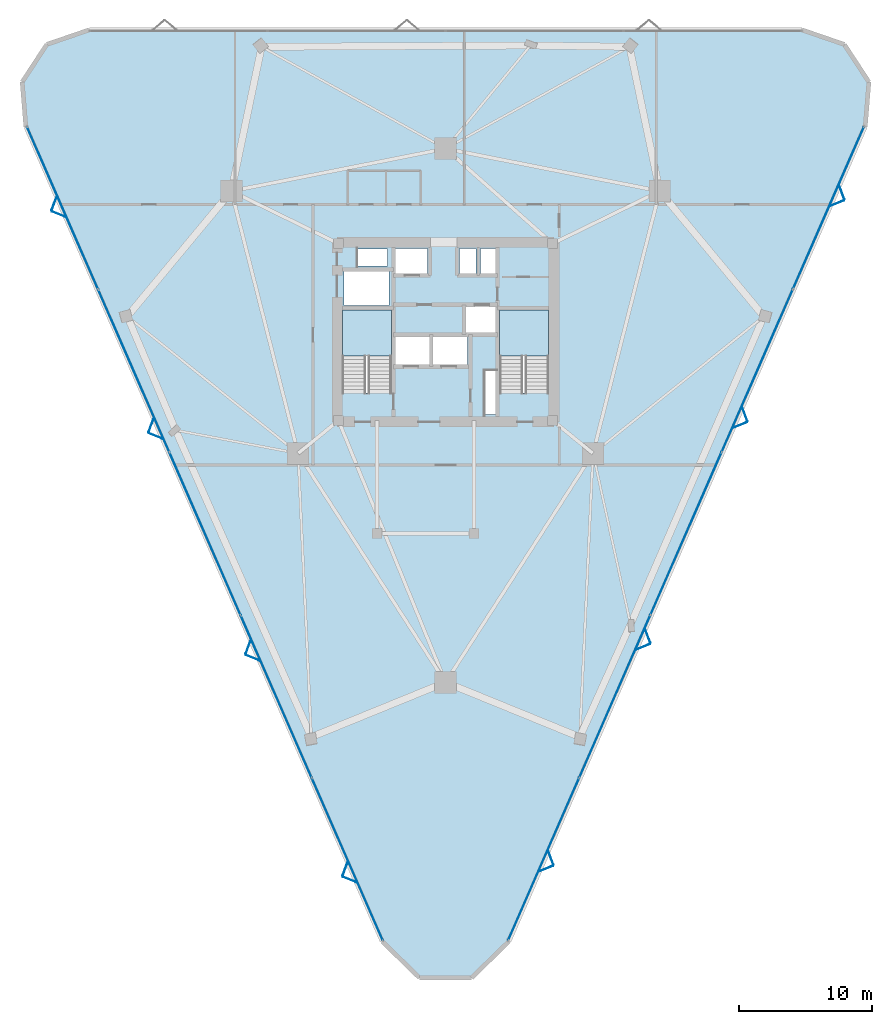
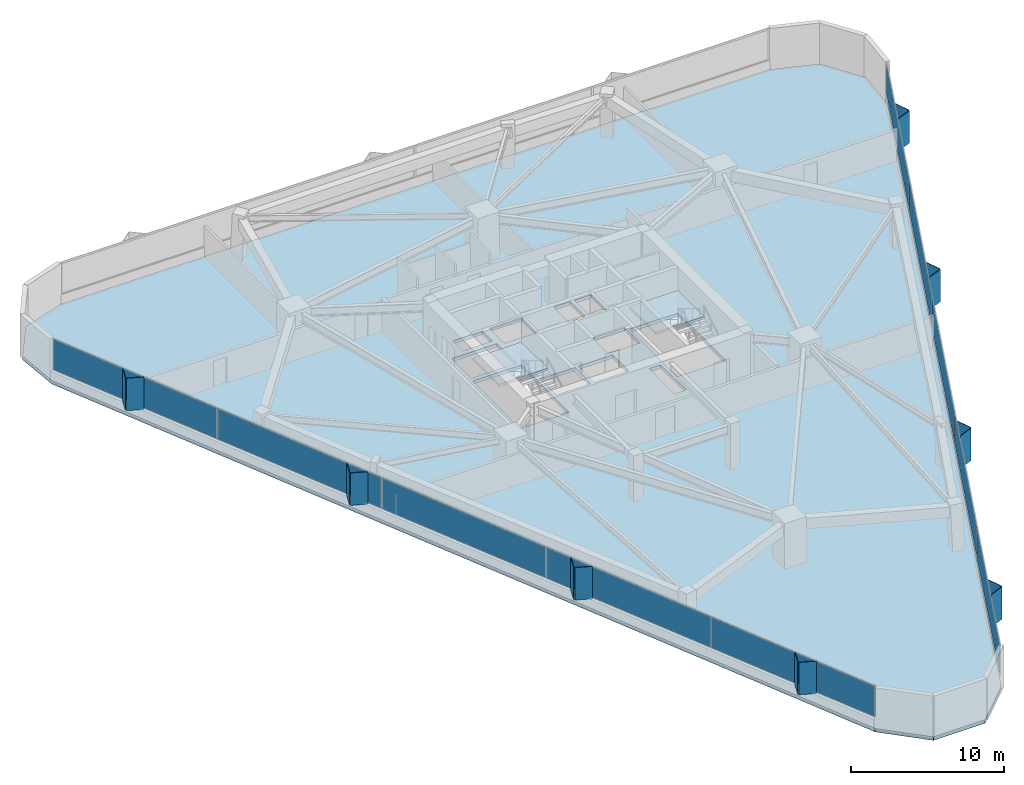
# One storey, part 13 of 19: 26 plates, 3 slabs, 4 elements without a shape of their own.
"""IFC4 building model written with IfcOpenShell, lengths in metres."""

from ifc_helpers import new_model, si_unit, direction, frame, origin, origin_2d, place, context, subcontext, project, spatial, polyline, rectangle, outline, extrude, material, layer, layer_set, type_object, element, aggregate, save


model = new_model("IFC4")

# Units and contexts
model_context = context("Model", 3, precision=1e-05, world=origin(), true_north=direction((0.0, 1.0)))
body_context = subcontext(model_context, "Body", "Model", "MODEL_VIEW")
ifc_project = project(units=[si_unit("LENGTHUNIT", "METRE"), si_unit("AREAUNIT", "SQUARE_METRE"), si_unit("VOLUMEUNIT", "CUBIC_METRE"), si_unit("PLANEANGLEUNIT", "RADIAN"), si_unit("MASSUNIT", "GRAM", prefix="KILO")], contexts=[model_context])

# Site, building, storey
site_placement = place(None, origin())
site = spatial("IfcSite", under=ifc_project, at=site_placement, CompositionType="ELEMENT")
building_placement = place(site_placement, origin())
building = spatial("IfcBuilding", under=site, at=building_placement, Name="Talyreon Biosciences Tower", CompositionType="ELEMENT")
storey_placement = place(building_placement, frame((0.0, 0.0, 82.300048828125)))
storey = spatial("IfcBuildingStorey", under=building, at=storey_placement, Name="L21", CompositionType="ELEMENT", Elevation=82.300048828125)

# Curtain wall, plates
ifc_material_1 = material(Name="Thermally broken aluminium and low-E glazing", Category="aluminium")
ifc_layer_1 = layer(ifc_material_1, 0.18994140625)
ifc_layer_set_1 = layer_set([ifc_layer_1], Name="Thermally broken aluminium and low-E glazing")
curtain_wall_type = type_object("IfcCurtainWallType", Name="CurtainWall_Zone2Genomics", PredefinedType="NOTDEFINED", material=ifc_layer_set_1)
curtain_wall_1_placement = place(storey_placement, origin())
curtain_wall_1 = element("IfcCurtainWall", 1, at=curtain_wall_1_placement, inside=storey, type_object=curtain_wall_type, Name="L21 Unitised Curtain Wall FCW-L21-00", PredefinedType="NOTDEFINED")
ifc_material_2 = material(Name="Triple-silver low-E insulated glazing", Category="glass")
ifc_layer_2 = layer(ifc_material_2, 0.031982421875)
ifc_layer_set_2 = layer_set([ifc_layer_2], Name="Triple-silver low-E insulated glazing")
plate_type_1 = type_object("IfcPlateType", Name="CWGlazingPanel_32", PredefinedType="CURTAIN_PANEL", material=ifc_layer_set_2)
plate_1_placement = place(storey_placement, frame((58.6240234375, 28.36279296875, 0.875), z_axis=(0.0, 0.0, 1.0), x_axis=(-0.400689421314, 0.916213942072, 0.0)))
plate_1 = element("IfcPlate", 2, at=plate_1_placement, type_object=plate_type_1, Name="CW3 panel 1.1", PredefinedType="CURTAIN_PANEL", context=body_context, shape_type="SweptSolid", body=[
    extrude(rectangle(XDim=13.271728515625, YDim=0.031982421875, at=origin_2d()), origin(), (0.0, 0.0, 1.0), 2.43505859375),
])
plate_2_placement = place(storey_placement, frame((53.273681640625, 40.596923828125, 0.875), z_axis=(0.0, 0.0, 1.0), x_axis=(-0.400689421314, 0.916213942072, 0.0)))
plate_2 = element("IfcPlate", 3, at=plate_2_placement, type_object=plate_type_1, Name="CW3 panel 2.1", PredefinedType="CURTAIN_PANEL", context=body_context, shape_type="SweptSolid", body=[
    extrude(rectangle(XDim=13.30419921875, YDim=0.031982421875, at=origin_2d()), origin(), (0.0, 0.0, 1.0), 2.43505859375),
])
plate_3_placement = place(storey_placement, frame((47.916748046875, 52.845947265625, 0.875), z_axis=(0.0, 0.0, 1.0), x_axis=(-0.400689421314, 0.916213942072, 0.0)))
plate_3 = element("IfcPlate", 4, at=plate_3_placement, type_object=plate_type_1, Name="CW3 panel 3.1", PredefinedType="CURTAIN_PANEL", context=body_context, shape_type="SweptSolid", body=[
    extrude(rectangle(XDim=13.30419921875, YDim=0.031982421875, at=origin_2d()), origin(), (0.0, 0.0, 1.0), 2.43505859375),
])
plate_4_placement = place(storey_placement, frame((42.559814453125, 65.09521484375, 0.875), z_axis=(0.0, 0.0, 1.0), x_axis=(-0.400689421314, 0.916213942072, 0.0)))
plate_4 = element("IfcPlate", 5, at=plate_4_placement, type_object=plate_type_1, Name="CW3 panel 4.1", PredefinedType="CURTAIN_PANEL", context=body_context, shape_type="SweptSolid", body=[
    extrude(rectangle(XDim=13.30419921875, YDim=0.031982421875, at=origin_2d()), origin(), (0.0, 0.0, 1.0), 2.43505859375),
])
plate_5_placement = place(storey_placement, frame((37.20947265625, 77.329345703125, 0.875), z_axis=(0.0, 0.0, 1.0), x_axis=(-0.400689421314, 0.916213942072, 0.0)))
plate_5 = element("IfcPlate", 6, at=plate_5_placement, type_object=plate_type_1, Name="CW3 panel 5.1", PredefinedType="CURTAIN_PANEL", context=body_context, shape_type="SweptSolid", body=[
    extrude(rectangle(XDim=13.271728515625, YDim=0.031982421875, at=origin_2d()), origin(), (0.0, 0.0, 1.0), 2.43505859375),
])
aggregate(curtain_wall_1, [plate_1, plate_2, plate_3, plate_4, plate_5])

curtain_wall_2_placement = place(storey_placement, origin())
curtain_wall_2 = element("IfcCurtainWall", 7, at=curtain_wall_2_placement, inside=storey, type_object=curtain_wall_type, Name="L21 Unitised Curtain Wall FCW-L21-08", PredefinedType="NOTDEFINED")
plate_6_placement = place(storey_placement, frame((94.79052734375, 77.329345703125, 0.875), z_axis=(0.0, 0.0, 1.0), x_axis=(-0.400689421314, -0.916213942072, 0.0)))
plate_6 = element("IfcPlate", 8, at=plate_6_placement, type_object=plate_type_1, Name="CW3 panel 1.1", PredefinedType="CURTAIN_PANEL", context=body_context, shape_type="SweptSolid", body=[
    extrude(rectangle(XDim=13.271728515625, YDim=0.031982421875, at=origin_2d()), origin(), (0.0, 0.0, 1.0), 2.43505859375),
])
plate_7_placement = place(storey_placement, frame((89.440185546875, 65.09521484375, 0.875), z_axis=(0.0, 0.0, 1.0), x_axis=(-0.400689421314, -0.916213942072, 0.0)))
plate_7 = element("IfcPlate", 9, at=plate_7_placement, type_object=plate_type_1, Name="CW3 panel 2.1", PredefinedType="CURTAIN_PANEL", context=body_context, shape_type="SweptSolid", body=[
    extrude(rectangle(XDim=13.30419921875, YDim=0.031982421875, at=origin_2d()), origin(), (0.0, 0.0, 1.0), 2.43505859375),
])
plate_8_placement = place(storey_placement, frame((84.083251953125, 52.845947265625, 0.875), z_axis=(0.0, 0.0, 1.0), x_axis=(-0.400689421314, -0.916213942072, 0.0)))
plate_8 = element("IfcPlate", 10, at=plate_8_placement, type_object=plate_type_1, Name="CW3 panel 3.1", PredefinedType="CURTAIN_PANEL", context=body_context, shape_type="SweptSolid", body=[
    extrude(rectangle(XDim=13.30419921875, YDim=0.031982421875, at=origin_2d()), origin(), (0.0, 0.0, 1.0), 2.43505859375),
])
plate_9_placement = place(storey_placement, frame((78.726318359375, 40.596923828125, 0.875), z_axis=(0.0, 0.0, 1.0), x_axis=(-0.400689421314, -0.916213942072, 0.0)))
plate_9 = element("IfcPlate", 11, at=plate_9_placement, type_object=plate_type_1, Name="CW3 panel 4.1", PredefinedType="CURTAIN_PANEL", context=body_context, shape_type="SweptSolid", body=[
    extrude(rectangle(XDim=13.30419921875, YDim=0.031982421875, at=origin_2d()), origin(), (0.0, 0.0, 1.0), 2.43505859375),
])
plate_10_placement = place(storey_placement, frame((73.3759765625, 28.36279296875, 0.875), z_axis=(0.0, 0.0, 1.0), x_axis=(-0.400689421314, -0.916213942072, 0.0)))
plate_10 = element("IfcPlate", 12, at=plate_10_placement, type_object=plate_type_1, Name="CW3 panel 5.1", PredefinedType="CURTAIN_PANEL", context=body_context, shape_type="SweptSolid", body=[
    extrude(rectangle(XDim=13.271728515625, YDim=0.031982421875, at=origin_2d()), origin(), (0.0, 0.0, 1.0), 2.43505859375),
])
aggregate(curtain_wall_2, [plate_6, plate_7, plate_8, plate_9, plate_10])

# Plates
ifc_material_3 = material(Name="Ivory GFRC sunshade panel", Category="concrete")
ifc_layer_3 = layer(ifc_material_3, 0.044921875)
ifc_layer_set_3 = layer_set([ifc_layer_3], Name="Ivory GFRC sunshade panel")
plate_type_2 = type_object("IfcPlateType", Name="FoldedVSunshade_SunFace_SUNSHADE", PredefinedType="USERDEFINED", material=ifc_layer_set_3)
for number, where, z_axis, x_axis, name in (
    (13, (58.814208984375, 26.82958984375, 0.7900390625), (0.0, 0.0, 1.0), (-0.924685641097, 0.380731486942, 0.0), "L21 Folded V-Sunshade Panel 00.01L"),
    (14, (58.45361328125, 27.654296875, 0.7900390625), (0.0, 0.0, 1.0), (0.348228492125, 0.937409684862, 0.0), "L21 Folded V-Sunshade Panel 00.01R"),
    (15, (51.521728515625, 43.504638671875, 0.7900390625), (0.0, 0.0, 1.0), (-0.924685641097, 0.380731486942, 0.0), "L21 Folded V-Sunshade Panel 00.02L"),
    (16, (51.1611328125, 44.329345703125, 0.7900390625), (0.0, 0.0, 1.0), (0.348228492125, 0.937409684862, 0.0), "L21 Folded V-Sunshade Panel 00.02R"),
    (17, (44.229248046875, 60.1796875, 0.7900390625), (0.0, 0.0, 1.0), (-0.924685641097, 0.380731486942, 0.0), "L21 Folded V-Sunshade Panel 00.03L"),
    (18, (43.868408203125, 61.00439453125, 0.7900390625), (0.0, 0.0, 1.0), (0.348228492125, 0.937409684862, 0.0), "L21 Folded V-Sunshade Panel 00.03R"),
    (19, (36.9365234375, 76.85498046875, 0.7900390625), (0.0, 0.0, 1.0), (-0.924685641097, 0.380731486942, 0.0), "L21 Folded V-Sunshade Panel 00.04L"),
    (20, (36.575927734375, 77.679443359375, 0.7900390625), (0.0, 0.0, 1.0), (0.348228492125, 0.937409684862, 0.0), "L21 Folded V-Sunshade Panel 00.04R"),
    (21, (95.787109375, 78.509765625, 0.7900390625), (0.0, 0.0, 1.0), (0.348228492125, -0.937409684862, 0.0), "L21 Folded V-Sunshade Panel 08.01L"),
    (22, (95.426513671875, 77.685302734375, 0.7900390625), (0.0, 0.0, 1.0), (-0.924685641097, -0.380731486942, 0.0), "L21 Folded V-Sunshade Panel 08.01R"),
    (23, (88.49462890625, 61.834716796875, 0.7900390625), (0.0, 0.0, 1.0), (0.348228492125, -0.937409684862, 0.0), "L21 Folded V-Sunshade Panel 08.02L"),
    (24, (88.134033203125, 61.010009765625, 0.7900390625), (0.0, 0.0, 1.0), (-0.924685641097, -0.380731486942, 0.0), "L21 Folded V-Sunshade Panel 08.02R"),
    (25, (81.201904296875, 45.15966796875, 0.7900390625), (0.0, 0.0, 1.0), (0.348228492125, -0.937409684862, 0.0), "L21 Folded V-Sunshade Panel 08.03L"),
    (26, (80.84130859375, 44.3349609375, 0.7900390625), (0.0, 0.0, 1.0), (-0.924685641097, -0.380731486942, 0.0), "L21 Folded V-Sunshade Panel 08.03R"),
    (27, (73.909423828125, 28.484619140625, 0.7900390625), (0.0, 0.0, 1.0), (0.348228492125, -0.937409684862, 0.0), "L21 Folded V-Sunshade Panel 08.04L"),
    (28, (73.548828125, 27.659912109375, 0.7900390625), (0.0, 0.0, 1.0), (-0.924685641097, -0.380731486942, 0.0), "L21 Folded V-Sunshade Panel 08.04R"),
):
    element("IfcPlate", number, at=place(storey_placement, frame(where, z_axis=z_axis, x_axis=x_axis)), inside=storey, type_object=plate_type_2, Name=name, ObjectType="SUNSHADE", PredefinedType="USERDEFINED", context=body_context, shape_type="SweptSolid", body=[
        extrude(rectangle(XDim=1.14990234375, YDim=0.044921875, at=origin_2d()), origin(), (0.0, 0.0, 1.0), 2.5849609375),
    ])

# Stair, slab
ifc_material_4 = material(Name="Concrete C40/50", Category="concrete")
stair_type = type_object("IfcStairType", Name="DoglegEscapeStair_3650", PredefinedType="HALF_TURN_STAIR", material=ifc_material_4)
stair_1_placement = place(storey_placement, origin())
stair_1 = element("IfcStair", 29, at=stair_1_placement, inside=storey, type_object=stair_type, Name="L21 Core Escape Stair 1", PredefinedType="HALF_TURN_STAIR")
ifc_layer_4 = layer(ifc_material_4, 0.199951171875)
ifc_layer_set_4 = layer_set([ifc_layer_4], Name="Concrete C40/50")
slab_type_1 = type_object("IfcSlabType", Name="StairLandingSlab_200", PredefinedType="LANDING", material=ifc_layer_set_4)
slab_1_placement = place(storey_placement, frame((0.0, 0.0, 1.625)))
slab_1 = element("IfcSlab", 30, at=slab_1_placement, type_object=slab_type_1, Name="ST-1 landing 1", PredefinedType="LANDING", context=body_context, shape_type="SweptSolid", body=[
    extrude(outline(polyline([(61.929931640625, 66.199951171875), (61.929931640625, 69.64990234375), (58.25, 69.64990234375), (58.25, 66.199951171875), (61.929931640625, 66.199951171875)])), origin(), (0.0, 0.0, 1.0), 0.199951171875),
])
aggregate(stair_1, [slab_1])

stair_2_placement = place(storey_placement, origin())
stair_2 = element("IfcStair", 31, at=stair_2_placement, inside=storey, type_object=stair_type, Name="L21 Core Escape Stair 2", PredefinedType="HALF_TURN_STAIR")
slab_2_placement = place(storey_placement, frame((0.0, 0.0, 1.625)))
slab_2 = element("IfcSlab", 32, at=slab_2_placement, type_object=slab_type_1, Name="ST-2 landing 1", PredefinedType="LANDING", context=body_context, shape_type="SweptSolid", body=[
    extrude(outline(polyline([(73.75, 66.199951171875), (73.75, 69.64990234375), (70.070068359375, 69.64990234375), (70.070068359375, 66.199951171875), (73.75, 66.199951171875)])), origin(), (0.0, 0.0, 1.0), 0.199951171875),
])
aggregate(stair_2, [slab_2])

# Slab
ifc_layer_5 = layer(ifc_material_4, 0.27490234375)
ifc_layer_set_5 = layer_set([ifc_layer_5], Name="Concrete C40/50")
slab_type_2 = type_object("IfcSlabType", Name="WetLabFloorSlab_275", PredefinedType="FLOOR", material=ifc_layer_set_5)
slab_3_placement = place(storey_placement, frame((0.0, 0.0, -0.275146484375)))
element("IfcSlab", 33, at=slab_3_placement, inside=storey, type_object=slab_type_2, Name="L21 Structural Floor Slab", PredefinedType="FLOOR", context=body_context, shape_type="SweptSolid", body=[
    extrude(outline(polyline([(61.235595703125, 22.191162109375), (34.451171875, 83.436767578125), (34.175537109375, 86.800537109375), (36.02294921875, 89.625), (39.21533203125, 90.72021484375), (92.78466796875, 90.72021484375), (95.97705078125, 89.625), (97.824462890625, 86.800537109375), (97.548828125, 83.436767578125), (70.764404296875, 22.191162109375), (67.95849609375, 19.457763671875), (64.04150390625, 19.457763671875), (61.235595703125, 22.191162109375)]), holes=[polyline([(61.929931640625, 69.64990234375), (61.929931640625, 63.407958984375), (58.25, 63.407958984375), (58.25, 69.64990234375), (61.929931640625, 69.64990234375)]), polyline([(64.800048828125, 67.64990234375), (64.800048828125, 65.550048828125), (62.199951171875, 65.550048828125), (62.199951171875, 67.64990234375), (64.800048828125, 67.64990234375)]), polyline([(67.64990234375, 67.64990234375), (67.64990234375, 65.550048828125), (65.050048828125, 65.550048828125), (65.050048828125, 67.64990234375), (67.64990234375, 67.64990234375)]), polyline([(61.75, 69.97998046875), (58.35009765625, 69.97998046875), (58.35009765625, 72.550048828125), (61.75, 72.550048828125), (61.75, 69.97998046875)]), polyline([(64.64990234375, 72.35009765625), (62.199951171875, 72.35009765625), (62.199951171875, 74.300048828125), (64.64990234375, 74.300048828125), (64.64990234375, 72.35009765625)]), polyline([(61.64990234375, 74.25), (61.64990234375, 72.9599609375), (59.39990234375, 72.9599609375), (59.39990234375, 74.25), (61.64990234375, 74.25)]), polyline([(69.820068359375, 61.800048828125), (68.9599609375, 61.800048828125), (68.9599609375, 65.10009765625), (69.820068359375, 65.10009765625), (69.820068359375, 61.800048828125)]), polyline([(73.75, 63.407958984375), (70.070068359375, 63.407958984375), (70.070068359375, 69.64990234375), (73.75, 69.64990234375), (73.75, 63.407958984375)]), polyline([(69.89990234375, 69.949951171875), (69.89990234375, 67.949951171875), (67.5, 67.949951171875), (67.5, 69.949951171875), (69.89990234375, 69.949951171875)]), polyline([(68.300048828125, 72.35009765625), (67.050048828125, 72.35009765625), (67.050048828125, 74.300048828125), (68.300048828125, 74.300048828125), (68.300048828125, 72.35009765625)]), polyline([(69.919921875, 72.35009765625), (68.6201171875, 72.35009765625), (68.6201171875, 74.300048828125), (69.919921875, 74.300048828125), (69.919921875, 72.35009765625)])]), origin(), (0.0, 0.0, 1.0), 0.275146484375),
])

save(model, "model.ifc")
